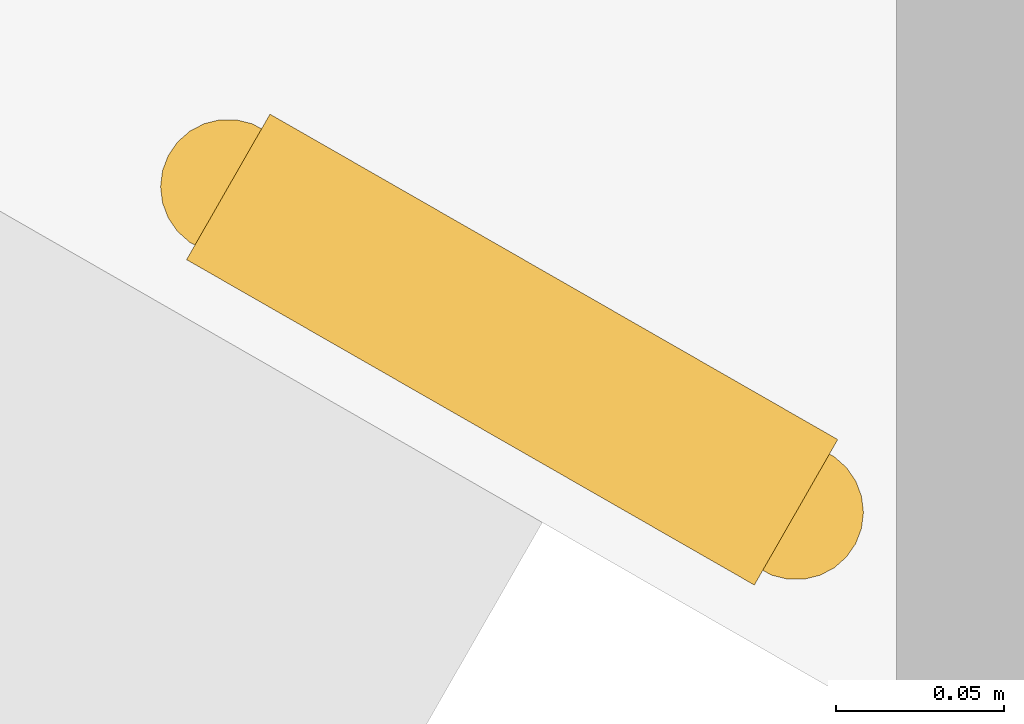
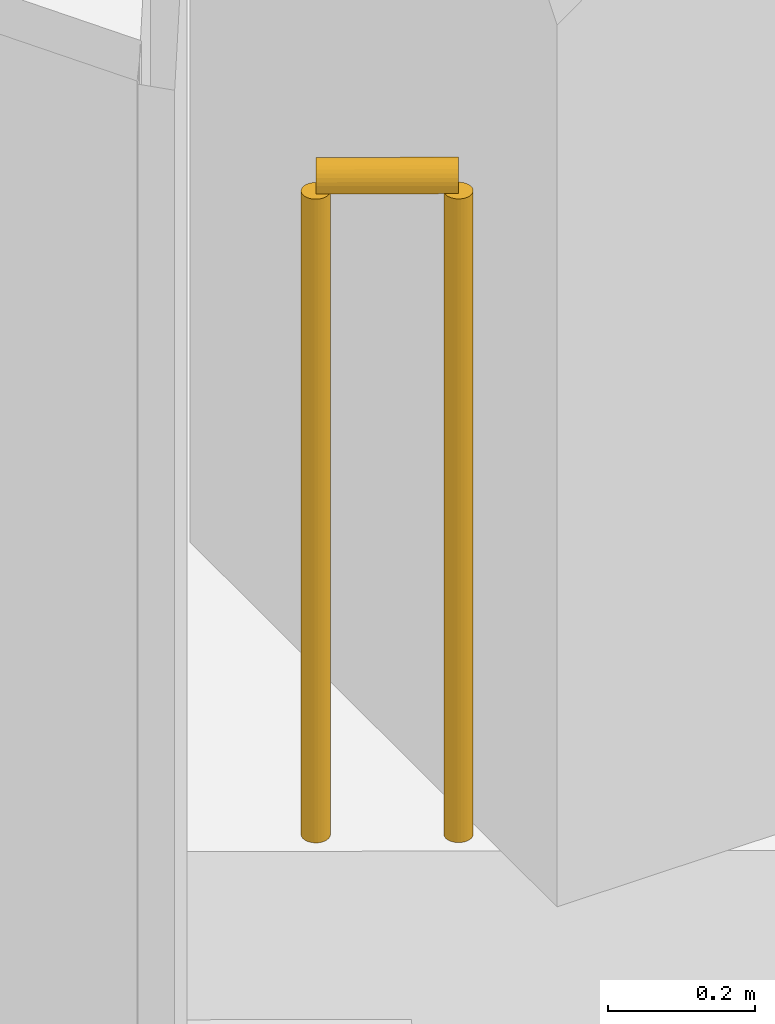
# One storey, part 31 of 34: 1 railing.
"""IFC4 building model written with IfcOpenShell, lengths in metres."""

from ifc_helpers import new_model, si_unit, direction, frame, origin, origin_2d, place, context, subcontext, project, spatial, circle, extrude, material, type_object, element, save


model = new_model("IFC4")

# Units and contexts
model_context = context("Model", 3, precision=1e-05, world=origin(), true_north=direction((0.0, 1.0)))
body_context = subcontext(model_context, "Body", "Model", "MODEL_VIEW")
ifc_project = project(units=[si_unit("LENGTHUNIT", "METRE"), si_unit("AREAUNIT", "SQUARE_METRE"), si_unit("VOLUMEUNIT", "CUBIC_METRE"), si_unit("PLANEANGLEUNIT", "RADIAN"), si_unit("MASSUNIT", "GRAM", prefix="KILO")], contexts=[model_context])

# Site, building, storey
site_placement = place(None, origin())
site = spatial("IfcSite", under=ifc_project, at=site_placement, CompositionType="ELEMENT")
building_placement = place(site_placement, origin())
building = spatial("IfcBuilding", under=site, at=building_placement, Name="Orlundy Tower", CompositionType="ELEMENT")
storey_placement = place(building_placement, frame((0.0, 0.0, 109.199951171875)))
storey = spatial("IfcBuildingStorey", under=building, at=storey_placement, Name="L27", CompositionType="ELEMENT", Elevation=109.199951171875)

# Railing
ifc_material = material(Name="Stainless steel bronze finish", Category="steel")
railing_type = type_object("IfcRailingType", Name="TG1 terrace guard", PredefinedType="GUARDRAIL", material=ifc_material)
railing_placement = place(storey_placement, frame((-38.345947265625, -46.552490234375, 0.0)))
element("IfcRailing", 1, at=railing_placement, inside=storey, type_object=railing_type, Name="Guard TG-L27-E01", PredefinedType="GUARDRAIL", context=body_context, shape_type="SweptSolid", body=[
    extrude(circle(Radius=0.02490234375, at=origin_2d()), frame((0.0, 0.0, 1.09521484375), z_axis=(-0.867624323336, 0.497220306861, 0.0), x_axis=(-0.497220306861, -0.867624323336, 0.0)), (0.0, 0.0, 1.0), 0.1943359375),
    extrude(circle(Radius=0.02001953125, at=origin_2d()), origin(), (0.0, 0.0, 1.0), 1.070068359375),
    extrude(circle(Radius=0.02001953125, at=origin_2d()), frame((-0.168701171875, 0.0966796875, 0.0)), (0.0, 0.0, 1.0), 1.070068359375),
])

save(model, "model.ifc")
